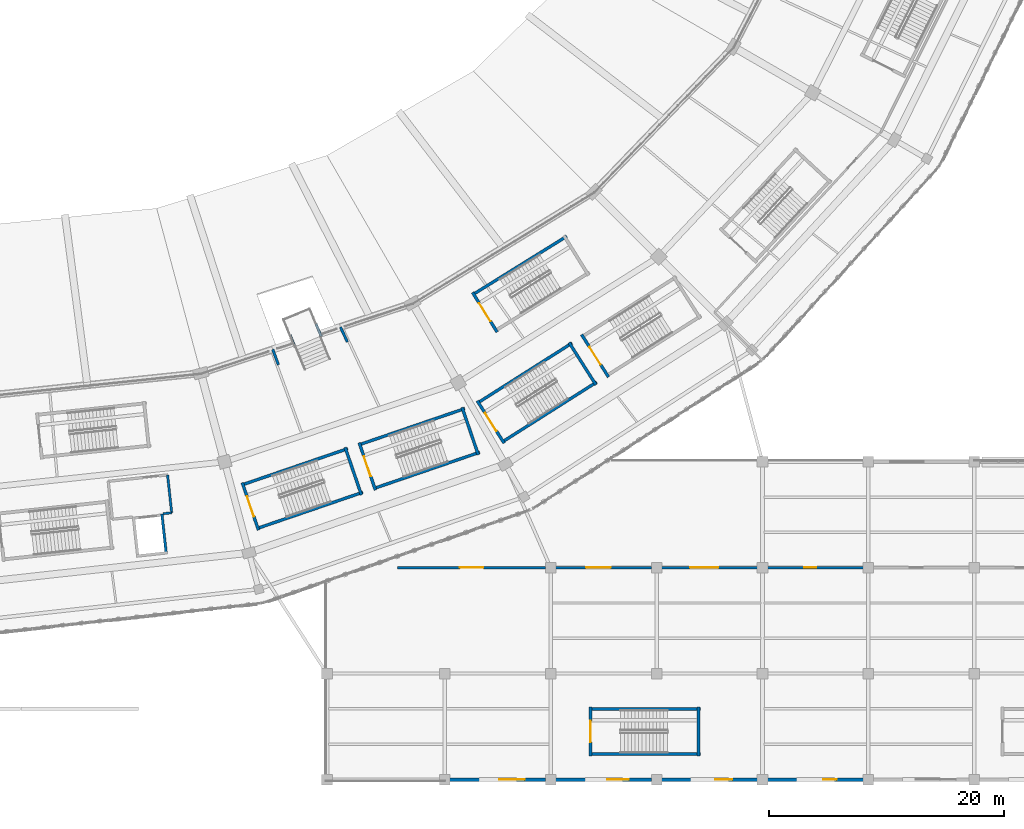
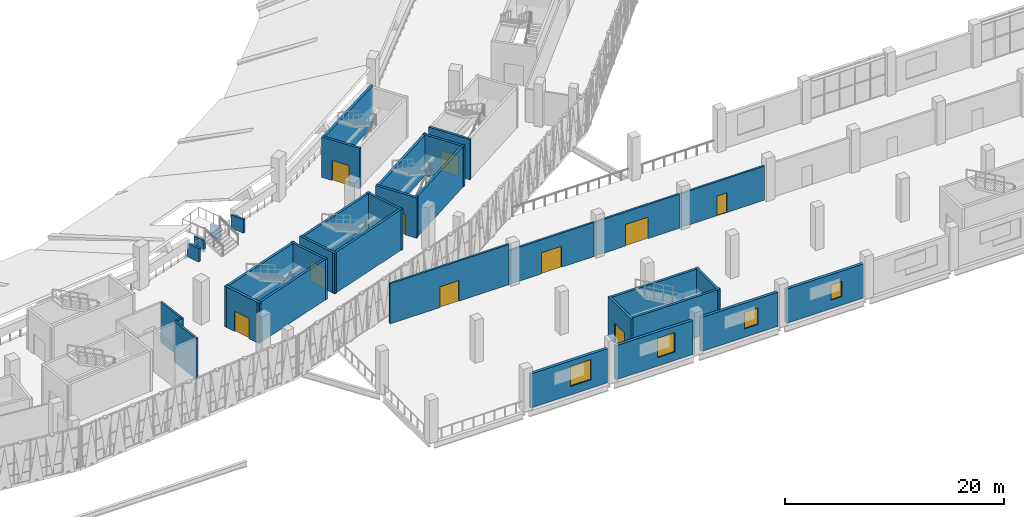
# One storey, part 102 of 183: 34 walls, 10 doors, 4 windows, 14 openings.
"""IFC4 building model written with IfcOpenShell, lengths in metres."""

from ifc_helpers import new_model, si_unit, direction, frame, frame_2d, origin, place, context, subcontext, project, spatial, rectangle, extrude, material, layer, layer_set, type_object, element, fill, save


model = new_model("IFC4")

# Units and contexts
model_context = context("Model", 3, precision=1e-05, world=origin(), true_north=direction((0.0, 1.0)))
body_context = subcontext(model_context, "Body", "Model", "MODEL_VIEW")
ifc_project = project(units=[si_unit("LENGTHUNIT", "METRE"), si_unit("AREAUNIT", "SQUARE_METRE"), si_unit("VOLUMEUNIT", "CUBIC_METRE"), si_unit("PLANEANGLEUNIT", "RADIAN"), si_unit("MASSUNIT", "GRAM", prefix="KILO")], contexts=[model_context])

# Site, building, storey
site_placement = place(None, origin())
site = spatial("IfcSite", under=ifc_project, at=site_placement, CompositionType="ELEMENT")
building_placement = place(site_placement, origin())
building = spatial("IfcBuilding", under=site, at=building_placement, Name="Zevraka Park Crest Stadium", CompositionType="ELEMENT")
storey_placement = place(building_placement, frame((0.0, 0.0, 5.39990234375)))
storey = spatial("IfcBuildingStorey", under=building, at=storey_placement, Name="L01", CompositionType="ELEMENT", Elevation=5.39990234375)

# Wall, opening, window
ifc_material_1 = material(Name="Limestone and red clay brick masonry", Category="masonry")
ifc_layer_1 = layer(ifc_material_1, 0.300048828125)
ifc_layer_set_1 = layer_set([ifc_layer_1], Name="Limestone and red clay brick masonry")
wall_type_1 = type_object("IfcWallType", Name="EW02", PredefinedType="STANDARD", material=ifc_layer_set_1)
wall_1_placement = place(storey_placement, frame((187.574951171875, 0.0, 0.0), z_axis=(0.0, 0.0, 1.0), x_axis=(-1.0, 0.0, 0.0)))
wall_1 = element("IfcWall", 1, at=wall_1_placement, inside=storey, type_object=wall_type_1, Name="Wing External Cavity Wall EW02 L01-SE-S1-5", PredefinedType="STANDARD", context=body_context, shape_type="SweptSolid", body=[
    extrude(rectangle(XDim=8.14990234375, YDim=0.300048828125, at=frame_2d((4.074951171875, 0.0))), origin(), (0.0, 0.0, 1.0), 3.8037109375),
])
opening_1_placement = place(wall_1_placement, frame((2.277099609375, 0.0, 0.949951171875)))
opening_1 = element("IfcOpeningElement", 2, at=opening_1_placement, cuts=wall_1, Name="Opening WN25", PredefinedType="OPENING", context=body_context, shape_type="SweptSolid", body=[
    extrude(rectangle(XDim=1.14990234375, YDim=1.699951171875, at=frame_2d((0.574951171875, 0.85009765625))), frame((0.0, 0.159912109375, 0.0), z_axis=(0.0, -1.0, 0.0), x_axis=(1.0, 0.0, 0.0)), (0.0, 0.0, 1.0), 0.320068359375),
])
ifc_material_2 = material(Name="Solar-control laminated double glazing in aluminium frame", Category="aluminium")
window_type_1 = type_object("IfcWindowType", Name="WN25", PartitioningType="SINGLE_PANEL", PredefinedType="WINDOW", material=ifc_material_2)
window_1_placement = place(opening_1_placement, origin())
window_1 = element("IfcWindow", 3, at=window_1_placement, inside=storey, type_object=window_type_1, Name="Facade Casement Window WN25 W-L01-107", OverallHeight=1.699951171875, OverallWidth=1.14990234375, PartitioningType="SINGLE_PANEL", PredefinedType="WINDOW", context=body_context, shape_type="SweptSolid", body=[
    extrude(rectangle(XDim=1.14990234375, YDim=1.699951171875, at=frame_2d((0.574951171875, 0.85009765625))), frame((0.0, 0.030029296875, 0.0), z_axis=(0.0, -1.0, 0.0), x_axis=(1.0, 0.0, 0.0)), (0.0, 0.0, 1.0), 0.06005859375),
])
fill(opening_1, window_1)

wall_2_placement = place(storey_placement, frame((178.574951171875, 0.0, 0.0), z_axis=(0.0, 0.0, 1.0), x_axis=(-1.0, 0.0, 0.0)))
wall_2 = element("IfcWall", 4, at=wall_2_placement, inside=storey, type_object=wall_type_1, Name="Wing External Cavity Wall EW02 L01-SE-S1-6", PredefinedType="STANDARD", context=body_context, shape_type="SweptSolid", body=[
    extrude(rectangle(XDim=8.14990234375, YDim=0.300048828125, at=frame_2d((4.074951171875, 0.0))), origin(), (0.0, 0.0, 1.0), 3.8037109375),
])
opening_2_placement = place(wall_2_placement, frame((2.126953125, 0.0, 0.949951171875)))
opening_2 = element("IfcOpeningElement", 5, at=opening_2_placement, cuts=wall_2, Name="Opening WN26", PredefinedType="OPENING", context=body_context, shape_type="SweptSolid", body=[
    extrude(rectangle(XDim=1.449951171875, YDim=1.85009765625, at=frame_2d((0.72509765625, 0.925048828125))), frame((0.0, 0.159912109375, 0.0), z_axis=(0.0, -1.0, 0.0), x_axis=(1.0, 0.0, 0.0)), (0.0, 0.0, 1.0), 0.320068359375),
])
ifc_material_3 = material(Name="Solar-control laminated double glazing in aluminium frame", Category="aluminium")
window_type_2 = type_object("IfcWindowType", Name="WN26", PartitioningType="SINGLE_PANEL", PredefinedType="WINDOW", material=ifc_material_3)
window_2_placement = place(opening_2_placement, origin())
window_2 = element("IfcWindow", 6, at=window_2_placement, inside=storey, type_object=window_type_2, Name="Facade Casement Window WN26 W-L01-108", OverallHeight=1.85009765625, OverallWidth=1.449951171875, PartitioningType="SINGLE_PANEL", PredefinedType="WINDOW", context=body_context, shape_type="SweptSolid", body=[
    extrude(rectangle(XDim=1.449951171875, YDim=1.85009765625, at=frame_2d((0.72509765625, 0.925048828125))), frame((0.0, 0.030029296875, 0.0), z_axis=(0.0, -1.0, 0.0), x_axis=(1.0, 0.0, 0.0)), (0.0, 0.0, 1.0), 0.06005859375),
])
fill(opening_2, window_2)

wall_3_placement = place(storey_placement, frame((169.574951171875, 0.0, 0.0), z_axis=(0.0, 0.0, 1.0), x_axis=(-1.0, 0.0, 0.0)))
wall_3 = element("IfcWall", 7, at=wall_3_placement, inside=storey, type_object=wall_type_1, Name="Wing External Cavity Wall EW02 L01-SE-S1-7", PredefinedType="STANDARD", context=body_context, shape_type="SweptSolid", body=[
    extrude(rectangle(XDim=8.14990234375, YDim=0.300048828125, at=frame_2d((4.074951171875, 0.0))), origin(), (0.0, 0.0, 1.0), 3.8037109375),
])
opening_3_placement = place(wall_3_placement, frame((1.927001953125, 0.0, 0.949951171875)))
opening_3 = element("IfcOpeningElement", 8, at=opening_3_placement, cuts=wall_3, Name="Opening WN27", PredefinedType="OPENING", context=body_context, shape_type="SweptSolid", body=[
    extrude(rectangle(XDim=1.85009765625, YDim=2.14990234375, at=frame_2d((0.925048828125, 1.074951171875))), frame((0.0, 0.159912109375, 0.0), z_axis=(0.0, -1.0, 0.0), x_axis=(1.0, 0.0, 0.0)), (0.0, 0.0, 1.0), 0.320068359375),
])
ifc_material_4 = material(Name="Solar-control laminated double glazing in aluminium frame", Category="aluminium")
window_type_3 = type_object("IfcWindowType", Name="WN27", PartitioningType="SINGLE_PANEL", PredefinedType="WINDOW", material=ifc_material_4)
window_3_placement = place(opening_3_placement, origin())
window_3 = element("IfcWindow", 9, at=window_3_placement, inside=storey, type_object=window_type_3, Name="Facade Casement Window WN27 W-L01-109", OverallHeight=2.14990234375, OverallWidth=1.85009765625, PartitioningType="SINGLE_PANEL", PredefinedType="WINDOW", context=body_context, shape_type="SweptSolid", body=[
    extrude(rectangle(XDim=1.85009765625, YDim=2.14990234375, at=frame_2d((0.925048828125, 1.074951171875))), frame((0.0, 0.030029296875, 0.0), z_axis=(0.0, -1.0, 0.0), x_axis=(1.0, 0.0, 0.0)), (0.0, 0.0, 1.0), 0.06005859375),
])
fill(opening_3, window_3)

wall_4_placement = place(storey_placement, frame((160.574951171875, 0.0, 0.0), z_axis=(0.0, 0.0, 1.0), x_axis=(-1.0, 0.0, 0.0)))
wall_4 = element("IfcWall", 10, at=wall_4_placement, inside=storey, type_object=wall_type_1, Name="Wing External Cavity Wall EW02 L01-SE-S1-8", PredefinedType="STANDARD", context=body_context, shape_type="SweptSolid", body=[
    extrude(rectangle(XDim=8.14990234375, YDim=0.300048828125, at=frame_2d((4.074951171875, 0.0))), origin(), (0.0, 0.0, 1.0), 3.8037109375),
])
opening_4_placement = place(wall_4_placement, frame((1.777099609375, 0.0, 0.949951171875)))
opening_4 = element("IfcOpeningElement", 11, at=opening_4_placement, cuts=wall_4, Name="Opening WN28", PredefinedType="OPENING", context=body_context, shape_type="SweptSolid", body=[
    extrude(rectangle(XDim=2.14990234375, YDim=2.25, at=frame_2d((1.074951171875, 1.125))), frame((0.0, 0.159912109375, 0.0), z_axis=(0.0, -1.0, 0.0), x_axis=(1.0, 0.0, 0.0)), (0.0, 0.0, 1.0), 0.320068359375),
])
ifc_material_5 = material(Name="Solar-control laminated double glazing in aluminium frame", Category="aluminium")
window_type_4 = type_object("IfcWindowType", Name="WN28", PartitioningType="SINGLE_PANEL", PredefinedType="WINDOW", material=ifc_material_5)
window_4_placement = place(opening_4_placement, origin())
window_4 = element("IfcWindow", 12, at=window_4_placement, inside=storey, type_object=window_type_4, Name="Facade Casement Window WN28 W-L01-110", OverallHeight=2.25, OverallWidth=2.14990234375, PartitioningType="SINGLE_PANEL", PredefinedType="WINDOW", context=body_context, shape_type="SweptSolid", body=[
    extrude(rectangle(XDim=2.14990234375, YDim=2.25, at=frame_2d((1.074951171875, 1.125))), frame((0.0, 0.030029296875, 0.0), z_axis=(0.0, -1.0, 0.0), x_axis=(1.0, 0.0, 0.0)), (0.0, 0.0, 1.0), 0.06005859375),
])
fill(opening_4, window_4)

# Walls
ifc_material_6 = material(Name="Autoclaved aerated masonry blockwork", Category="masonry")
ifc_layer_2 = layer(ifc_material_6, 0.199951171875)
ifc_layer_set_2 = layer_set([ifc_layer_2], Name="Autoclaved aerated masonry blockwork")
wall_type_2 = type_object("IfcWallType", Name="IW01", PredefinedType="PARTITIONING", material=ifc_layer_set_2)
wall_5_placement = place(storey_placement, frame((128.804931640625, 22.6650390625, 0.0), z_axis=(0.0, 0.0, 1.0), x_axis=(-0.994146742738, -0.108038205757, 0.0)))
element("IfcWall", 13, at=wall_5_placement, inside=storey, type_object=wall_type_2, Name="Firefighting Lift Lobby Wall IW01 FL04 L01 BACKL", PredefinedType="PARTITIONING", context=body_context, shape_type="SweptSolid", body=[
    extrude(rectangle(XDim=0.750244140625, YDim=0.199951171875, at=frame_2d((0.375, 0.0))), origin(), (0.0, 0.0, 1.0), 4.5),
])
wall_6_placement = place(storey_placement, frame((128.804931640625, 22.6650390625, 0.0), z_axis=(0.0, 0.0, 1.0), x_axis=(-0.108280975823, 0.994120329877, 0.0)))
element("IfcWall", 14, at=wall_6_placement, inside=storey, type_object=wall_type_2, Name="Firefighting Lift Lobby Wall IW01 FL04 L01 LEFT", PredefinedType="PARTITIONING", context=body_context, shape_type="SweptSolid", body=[
    extrude(rectangle(XDim=3.239990234375, YDim=0.199951171875, at=frame_2d((1.6201171875, 0.0))), origin(), (0.0, 0.0, 1.0), 4.5),
])

# Wall, opening, door
wall_7_placement = place(storey_placement, frame((148.0, 18.0, 0.0), z_axis=(0.0, 0.0, 1.0), x_axis=(1.0, 0.0, 0.0)))
wall_7 = element("IfcWall", 15, at=wall_7_placement, inside=storey, type_object=wall_type_2, Name="Interior Partition IW01 Rainwater Filtration and Water Tank Plant Room L01", PredefinedType="PARTITIONING", context=body_context, shape_type="SweptSolid", body=[
    extrude(rectangle(XDim=12.56494140625, YDim=0.199951171875, at=frame_2d((6.282470703125, 0.0))), origin(), (0.0, 0.0, 1.0), 4.5),
])
opening_5_placement = place(wall_7_placement, frame((5.281982421875, 0.0, 0.0)))
opening_5 = element("IfcOpeningElement", 16, at=opening_5_placement, cuts=wall_7, Name="Opening D-L01-393", PredefinedType="OPENING", context=body_context, shape_type="SweptSolid", body=[
    extrude(rectangle(XDim=2.0, YDim=2.300048828125, at=frame_2d((1.0, 1.14990234375))), frame((0.0, 0.10986328125, 0.0), z_axis=(0.0, -1.0, 0.0), x_axis=(1.0, 0.0, 0.0)), (0.0, 0.0, 1.0), 0.219970703125),
])
ifc_material_7 = material(Name="Solid-core hardwood timber leaf in steel frame", Category="steel")
door_type_1 = type_object("IfcDoorType", Name="DR16", OperationType="NOTDEFINED", PredefinedType="DOOR", material=ifc_material_7)
door_1_placement = place(opening_5_placement, origin())
door_1 = element("IfcDoor", 17, at=door_1_placement, inside=storey, type_object=door_type_1, Name="Rainwater Filtration and Water Tank Plant Room Door D-L01-393", OperationType="DOUBLE_DOOR_SINGLE_SWING", OverallHeight=2.300048828125, OverallWidth=2.0, PredefinedType="DOOR", context=body_context, shape_type="SweptSolid", body=[
    extrude(rectangle(XDim=2.0, YDim=2.300048828125, at=frame_2d((1.0, 1.14990234375))), frame((0.0, 0.02490234375, 0.0), z_axis=(0.0, -1.0, 0.0), x_axis=(1.0, 0.0, 0.0)), (0.0, 0.0, 1.0), 0.050048828125),
])
fill(opening_5, door_1)

wall_8_placement = place(storey_placement, frame((160.550048828125, 18.0, 0.0), z_axis=(0.0, 0.0, 1.0), x_axis=(1.0, 0.0, 0.0)))
wall_8 = element("IfcWall", 18, at=wall_8_placement, inside=storey, type_object=wall_type_2, Name="Interior Partition IW01 Rainwater Filtration and Water Tank Plant Room L01", PredefinedType="PARTITIONING", context=body_context, shape_type="SweptSolid", body=[
    extrude(rectangle(XDim=9.014892578125, YDim=0.199951171875, at=frame_2d((4.50732421875, 0.0))), origin(), (0.0, 0.0, 1.0), 3.8037109375),
])
opening_6_placement = place(wall_8_placement, frame((3.45703125, 0.0, 0.0)))
opening_6 = element("IfcOpeningElement", 19, at=opening_6_placement, cuts=wall_8, Name="Opening D-L01-394", PredefinedType="OPENING", context=body_context, shape_type="SweptSolid", body=[
    extrude(rectangle(XDim=2.10009765625, YDim=2.35009765625, at=frame_2d((1.050048828125, 1.175048828125))), frame((0.0, 0.10986328125, 0.0), z_axis=(0.0, -1.0, 0.0), x_axis=(1.0, 0.0, 0.0)), (0.0, 0.0, 1.0), 0.219970703125),
])
ifc_material_8 = material(Name="Solid-core hardwood timber leaf in steel frame", Category="steel")
door_type_2 = type_object("IfcDoorType", Name="DR17", OperationType="NOTDEFINED", PredefinedType="DOOR", material=ifc_material_8)
door_2_placement = place(opening_6_placement, origin())
door_2 = element("IfcDoor", 20, at=door_2_placement, inside=storey, type_object=door_type_2, Name="Rainwater Filtration and Water Tank Plant Room Door D-L01-394", OperationType="DOUBLE_DOOR_SINGLE_SWING", OverallHeight=2.35009765625, OverallWidth=2.10009765625, PredefinedType="DOOR", context=body_context, shape_type="SweptSolid", body=[
    extrude(rectangle(XDim=2.10009765625, YDim=2.35009765625, at=frame_2d((1.050048828125, 1.175048828125))), frame((0.0, 0.02490234375, 0.0), z_axis=(0.0, -1.0, 0.0), x_axis=(1.0, 0.0, 0.0)), (0.0, 0.0, 1.0), 0.050048828125),
])
fill(opening_6, door_2)

wall_9_placement = place(storey_placement, frame((169.550048828125, 18.0, 0.0), z_axis=(0.0, 0.0, 1.0), x_axis=(1.0, 0.0, 0.0)))
wall_9 = element("IfcWall", 21, at=wall_9_placement, inside=storey, type_object=wall_type_2, Name="Interior Partition IW01 Rainwater Filtration and Water Tank Plant Room L01", PredefinedType="PARTITIONING", context=body_context, shape_type="SweptSolid", body=[
    extrude(rectangle(XDim=9.014892578125, YDim=0.199951171875, at=frame_2d((4.50732421875, 0.0))), origin(), (0.0, 0.0, 1.0), 3.8037109375),
])
opening_7_placement = place(wall_9_placement, frame((3.306884765625, 0.0, 0.0)))
opening_7 = element("IfcOpeningElement", 22, at=opening_7_placement, cuts=wall_9, Name="Opening D-L01-395", PredefinedType="OPENING", context=body_context, shape_type="SweptSolid", body=[
    extrude(rectangle(XDim=2.39990234375, YDim=2.39990234375, at=frame_2d((1.199951171875, 1.199951171875))), frame((0.0, 0.10986328125, 0.0), z_axis=(0.0, -1.0, 0.0), x_axis=(1.0, 0.0, 0.0)), (0.0, 0.0, 1.0), 0.219970703125),
])
ifc_material_9 = material(Name="Solid-core hardwood timber leaf in steel frame", Category="steel")
door_type_3 = type_object("IfcDoorType", Name="DR18", OperationType="NOTDEFINED", PredefinedType="DOOR", material=ifc_material_9)
door_3_placement = place(opening_7_placement, origin())
door_3 = element("IfcDoor", 23, at=door_3_placement, inside=storey, type_object=door_type_3, Name="Rainwater Filtration and Water Tank Plant Room Door D-L01-395", OperationType="DOUBLE_DOOR_SINGLE_SWING", OverallHeight=2.39990234375, OverallWidth=2.39990234375, PredefinedType="DOOR", context=body_context, shape_type="SweptSolid", body=[
    extrude(rectangle(XDim=2.39990234375, YDim=2.39990234375, at=frame_2d((1.199951171875, 1.199951171875))), frame((0.0, 0.02490234375, 0.0), z_axis=(0.0, -1.0, 0.0), x_axis=(1.0, 0.0, 0.0)), (0.0, 0.0, 1.0), 0.050048828125),
])
fill(opening_7, door_3)

wall_10_placement = place(storey_placement, frame((178.550048828125, 18.0, 0.0), z_axis=(0.0, 0.0, 1.0), x_axis=(1.0, 0.0, 0.0)))
wall_10 = element("IfcWall", 24, at=wall_10_placement, inside=storey, type_object=wall_type_2, Name="Interior Partition IW01 Rainwater Filtration and Water Tank Plant Room L01", PredefinedType="PARTITIONING", context=body_context, shape_type="SweptSolid", body=[
    extrude(rectangle(XDim=9.014892578125, YDim=0.199951171875, at=frame_2d((4.50732421875, 0.0))), origin(), (0.0, 0.0, 1.0), 3.8037109375),
])
opening_8_placement = place(wall_10_placement, frame((3.9970703125, 0.0, 0.0)))
opening_8 = element("IfcOpeningElement", 25, at=opening_8_placement, cuts=wall_10, Name="Opening D-L01-396", PredefinedType="OPENING", context=body_context, shape_type="SweptSolid", body=[
    extrude(rectangle(XDim=1.02001953125, YDim=2.199951171875, at=frame_2d((0.510009765625, 1.10009765625))), frame((0.0, 0.10986328125, 0.0), z_axis=(0.0, -1.0, 0.0), x_axis=(1.0, 0.0, 0.0)), (0.0, 0.0, 1.0), 0.219970703125),
])
ifc_material_10 = material(Name="Solid-core hardwood timber leaf in steel frame", Category="steel")
door_type_4 = type_object("IfcDoorType", Name="DR21", OperationType="NOTDEFINED", PredefinedType="DOOR", material=ifc_material_10)
door_4_placement = place(opening_8_placement, origin())
door_4 = element("IfcDoor", 26, at=door_4_placement, inside=storey, type_object=door_type_4, Name="Rainwater Filtration and Water Tank Plant Room Door D-L01-396", OperationType="SINGLE_SWING_RIGHT", OverallHeight=2.199951171875, OverallWidth=1.02001953125, PredefinedType="DOOR", context=body_context, shape_type="SweptSolid", body=[
    extrude(rectangle(XDim=1.02001953125, YDim=2.199951171875, at=frame_2d((0.510009765625, 1.10009765625))), frame((0.0, 0.02490234375, 0.0), z_axis=(0.0, -1.0, 0.0), x_axis=(1.0, 0.0, 0.0)), (0.0, 0.0, 1.0), 0.050048828125),
])
fill(opening_8, door_4)

# Walls
ifc_material_11 = material(Name="Concrete C40/50", Category="concrete")
ifc_layer_3 = layer(ifc_material_11, 0.25)
ifc_layer_set_3 = layer_set([ifc_layer_3], Name="Concrete C40/50")
wall_type_3 = type_object("IfcWallType", Name="SW01", PredefinedType="SHEAR", material=ifc_layer_set_3)
wall_11_placement = place(storey_placement, frame((136.00732421875, 21.314208984375, 0.0), z_axis=(0.0, 0.0, 1.0), x_axis=(0.946064424228, 0.323978556712, 0.0)))
element("IfcWall", 27, at=wall_11_placement, inside=storey, type_object=wall_type_3, Name="Stair Core Shear Wall SW01 ST20 L01 left", PredefinedType="SHEAR", context=body_context, shape_type="SweptSolid", body=[
    extrude(rectangle(XDim=9.550048828125, YDim=0.25, at=frame_2d((4.77490234375, 0.0))), origin(), (0.0, 0.0, 1.0), 4.52001953125),
])
wall_12_placement = place(storey_placement, frame((143.7724609375, 28.116943359375, 0.0), z_axis=(0.0, 0.0, 1.0), x_axis=(-0.946067107432, -0.323970721263, 0.0)))
element("IfcWall", 28, at=wall_12_placement, inside=storey, type_object=wall_type_3, Name="Stair Core Shear Wall SW01 ST20 L01 right", PredefinedType="SHEAR", context=body_context, shape_type="SweptSolid", body=[
    extrude(rectangle(XDim=9.55029296875, YDim=0.25, at=frame_2d((4.775146484375, 0.0))), origin(), (0.0, 0.0, 1.0), 4.52001953125),
])

# Wall, opening, door
wall_13_placement = place(storey_placement, frame((134.800537109375, 25.22412109375, 0.0), z_axis=(0.0, 0.0, 1.0), x_axis=(0.323988758717, -0.946060930504, 0.0)))
wall_13 = element("IfcWall", 29, at=wall_13_placement, inside=storey, type_object=wall_type_3, Name="Stair Core Shear Wall SW01 ST20 L01 near", PredefinedType="SHEAR", context=body_context, shape_type="SweptSolid", body=[
    extrude(rectangle(XDim=4.259765625, YDim=0.25, at=frame_2d((2.1298828125, 0.0))), origin(), (0.0, 0.0, 1.0), 4.52001953125),
])
opening_9_placement = place(wall_13_placement, frame((1.22998046875, 0.0, 0.0)))
opening_9 = element("IfcOpeningElement", 30, at=opening_9_placement, cuts=wall_13, Name="Opening D-L01-118", PredefinedType="OPENING", context=body_context, shape_type="SweptSolid", body=[
    extrude(rectangle(XDim=1.800048828125, YDim=2.25, at=frame_2d((0.89990234375, 1.125))), frame((0.0, 0.135009765625, 0.0), z_axis=(0.0, -1.0, 0.0), x_axis=(1.0, 0.0, 0.0)), (0.0, 0.0, 1.0), 0.27001953125),
])
ifc_material_12 = material(Name="Solid-core hardwood timber leaf in steel frame", Category="steel")
door_type_5 = type_object("IfcDoorType", Name="DR04", OperationType="NOTDEFINED", PredefinedType="DOOR", material=ifc_material_12)
door_5_placement = place(opening_9_placement, origin())
door_5 = element("IfcDoor", 31, at=door_5_placement, inside=storey, type_object=door_type_5, Name="Protected Stair Entry Door ST20 L01", OperationType="DOUBLE_DOOR_SINGLE_SWING", OverallHeight=2.25, OverallWidth=1.800048828125, PredefinedType="DOOR", context=body_context, shape_type="SweptSolid", body=[
    extrude(rectangle(XDim=1.800048828125, YDim=2.25, at=frame_2d((0.89990234375, 1.125))), frame((0.0, 0.02490234375, 0.0), z_axis=(0.0, -1.0, 0.0), x_axis=(1.0, 0.0, 0.0)), (0.0, 0.0, 1.0), 0.050048828125),
])
fill(opening_9, door_5)

# Walls
wall_14_placement = place(storey_placement, frame((144.92236328125, 24.1875, 0.0), z_axis=(0.0, 0.0, 1.0), x_axis=(-0.323971192516, 0.946066946056, 0.0)))
element("IfcWall", 32, at=wall_14_placement, inside=storey, type_object=wall_type_3, Name="Stair Core Shear Wall SW01 ST20 L01 far", PredefinedType="SHEAR", context=body_context, shape_type="SweptSolid", body=[
    extrude(rectangle(XDim=4.260009765625, YDim=0.25, at=frame_2d((2.1298828125, 0.0))), origin(), (0.0, 0.0, 1.0), 4.52001953125),
])
for number, where, z_axis, x_axis, name in (
    (33, (156.852783203125, 28.656494140625, 0.0), (0.0, 0.0, 1.0), (0.844391246241, 0.535727004427, 0.0), "Stair Core Shear Wall SW01 ST21 L01 left"),
    (34, (162.816650390625, 37.082763671875, 0.0), (0.0, 0.0, 1.0), (-0.844391246241, -0.535727004427, 0.0), "Stair Core Shear Wall SW01 ST21 L01 right"),
):
    element("IfcWall", number, at=place(storey_placement, frame(where, z_axis=z_axis, x_axis=x_axis)), inside=storey, type_object=wall_type_3, Name=name, PredefinedType="SHEAR", context=body_context, shape_type="SweptSolid", body=[
        extrude(rectangle(XDim=9.550048828125, YDim=0.25, at=frame_2d((4.77490234375, 0.0))), origin(), (0.0, 0.0, 1.0), 4.52001953125),
    ])

# Wall, opening, door
wall_15_placement = place(storey_placement, frame((154.767333984375, 32.177001953125, 0.0), z_axis=(0.0, 0.0, 1.0), x_axis=(0.535684577572, -0.844418162613, 0.0)))
wall_15 = element("IfcWall", 35, at=wall_15_placement, inside=storey, type_object=wall_type_3, Name="Stair Core Shear Wall SW01 ST21 L01 near", PredefinedType="SHEAR", context=body_context, shape_type="SweptSolid", body=[
    extrude(rectangle(XDim=4.260009765625, YDim=0.25, at=frame_2d((2.1298828125, 0.0))), origin(), (0.0, 0.0, 1.0), 4.52001953125),
])
opening_10_placement = place(wall_15_placement, frame((1.22998046875, 0.0, 0.0)))
opening_10 = element("IfcOpeningElement", 36, at=opening_10_placement, cuts=wall_15, Name="Opening D-L01-125", PredefinedType="OPENING", context=body_context, shape_type="SweptSolid", body=[
    extrude(rectangle(XDim=1.800048828125, YDim=2.25, at=frame_2d((0.89990234375, 1.125))), frame((0.0, 0.135009765625, 0.0), z_axis=(0.0, -1.0, 0.0), x_axis=(1.0, 0.0, 0.0)), (0.0, 0.0, 1.0), 0.27001953125),
])
door_6_placement = place(opening_10_placement, origin())
door_6 = element("IfcDoor", 37, at=door_6_placement, inside=storey, type_object=door_type_5, Name="Protected Stair Entry Door ST21 L01", OperationType="DOUBLE_DOOR_SINGLE_SWING", OverallHeight=2.25, OverallWidth=1.800048828125, PredefinedType="DOOR", context=body_context, shape_type="SweptSolid", body=[
    extrude(rectangle(XDim=1.800048828125, YDim=2.25, at=frame_2d((0.89990234375, 1.125))), frame((0.0, 0.02490234375, 0.0), z_axis=(0.0, -1.0, 0.0), x_axis=(1.0, 0.0, 0.0)), (0.0, 0.0, 1.0), 0.050048828125),
])
fill(opening_10, door_6)

# Walls
wall_16_placement = place(storey_placement, frame((164.8515625, 33.530029296875, 0.0), z_axis=(0.0, 0.0, 1.0), x_axis=(-0.53572544074, 0.844392238325, 0.0)))
element("IfcWall", 38, at=wall_16_placement, inside=storey, type_object=wall_type_3, Name="Stair Core Shear Wall SW01 ST21 L01 far", PredefinedType="SHEAR", context=body_context, shape_type="SweptSolid", body=[
    extrude(rectangle(XDim=4.260009765625, YDim=0.25, at=frame_2d((2.1298828125, 0.0))), origin(), (0.0, 0.0, 1.0), 4.52001953125),
])
for number, where, z_axis, x_axis, name in (
    (39, (145.94140625, 24.71533203125, 0.0), (0.0, 0.0, 1.0), (0.946064424228, 0.323978556712, 0.0), "Stair Core Shear Wall SW01 ST31 L01 left"),
    (40, (153.706298828125, 31.517822265625, 0.0), (0.0, 0.0, 1.0), (-0.946064424228, -0.323978556712, 0.0), "Stair Core Shear Wall SW01 ST31 L01 right"),
):
    element("IfcWall", number, at=place(storey_placement, frame(where, z_axis=z_axis, x_axis=x_axis)), inside=storey, type_object=wall_type_3, Name=name, PredefinedType="SHEAR", context=body_context, shape_type="SweptSolid", body=[
        extrude(rectangle(XDim=9.550048828125, YDim=0.25, at=frame_2d((4.77490234375, 0.0))), origin(), (0.0, 0.0, 1.0), 4.52001953125),
    ])

# Wall, opening, door
wall_17_placement = place(storey_placement, frame((144.734619140625, 28.625244140625, 0.0), z_axis=(0.0, 0.0, 1.0), x_axis=(0.323971192516, -0.946066946056, 0.0)))
wall_17 = element("IfcWall", 41, at=wall_17_placement, inside=storey, type_object=wall_type_3, Name="Stair Core Shear Wall SW01 ST31 L01 near", PredefinedType="SHEAR", context=body_context, shape_type="SweptSolid", body=[
    extrude(rectangle(XDim=4.260009765625, YDim=0.25, at=frame_2d((2.1298828125, 0.0))), origin(), (0.0, 0.0, 1.0), 4.52001953125),
])
opening_11_placement = place(wall_17_placement, frame((1.22998046875, 0.0, 0.0)))
opening_11 = element("IfcOpeningElement", 42, at=opening_11_placement, cuts=wall_17, Name="Opening D-L01-177", PredefinedType="OPENING", context=body_context, shape_type="SweptSolid", body=[
    extrude(rectangle(XDim=1.800048828125, YDim=2.25, at=frame_2d((0.89990234375, 1.125))), frame((0.0, 0.135009765625, 0.0), z_axis=(0.0, -1.0, 0.0), x_axis=(1.0, 0.0, 0.0)), (0.0, 0.0, 1.0), 0.27001953125),
])
door_7_placement = place(opening_11_placement, origin())
door_7 = element("IfcDoor", 43, at=door_7_placement, inside=storey, type_object=door_type_5, Name="Protected Stair Entry Door ST31 L01", OperationType="DOUBLE_DOOR_SINGLE_SWING", OverallHeight=2.25, OverallWidth=1.800048828125, PredefinedType="DOOR", context=body_context, shape_type="SweptSolid", body=[
    extrude(rectangle(XDim=1.800048828125, YDim=2.25, at=frame_2d((0.89990234375, 1.125))), frame((0.0, 0.02490234375, 0.0), z_axis=(0.0, -1.0, 0.0), x_axis=(1.0, 0.0, 0.0)), (0.0, 0.0, 1.0), 0.050048828125),
])
fill(opening_11, door_7)

# Wall
wall_18_placement = place(storey_placement, frame((154.8564453125, 27.588623046875, 0.0), z_axis=(0.0, 0.0, 1.0), x_axis=(-0.323988758717, 0.946060930504, 0.0)))
element("IfcWall", 44, at=wall_18_placement, inside=storey, type_object=wall_type_3, Name="Stair Core Shear Wall SW01 ST31 L01 far", PredefinedType="SHEAR", context=body_context, shape_type="SweptSolid", body=[
    extrude(rectangle(XDim=4.259765625, YDim=0.25, at=frame_2d((2.1298828125, 0.0))), origin(), (0.0, 0.0, 1.0), 4.52001953125),
])

# Wall, opening, door
wall_19_placement = place(storey_placement, frame((163.63330078125, 37.802001953125, 0.0), z_axis=(0.0, 0.0, 1.0), x_axis=(0.535684577572, -0.844418162613, 0.0)))
wall_19 = element("IfcWall", 45, at=wall_19_placement, inside=storey, type_object=wall_type_3, Name="Stair Core Shear Wall SW01 ST32 L01 near", PredefinedType="SHEAR", context=body_context, shape_type="SweptSolid", body=[
    extrude(rectangle(XDim=4.260009765625, YDim=0.25, at=frame_2d((2.1298828125, 0.0))), origin(), (0.0, 0.0, 1.0), 4.52001953125),
])
opening_12_placement = place(wall_19_placement, frame((1.22998046875, 0.0, 0.0)))
opening_12 = element("IfcOpeningElement", 46, at=opening_12_placement, cuts=wall_19, Name="Opening D-L01-182", PredefinedType="OPENING", context=body_context, shape_type="SweptSolid", body=[
    extrude(rectangle(XDim=1.800048828125, YDim=2.25, at=frame_2d((0.89990234375, 1.125))), frame((0.0, 0.135009765625, 0.0), z_axis=(0.0, -1.0, 0.0), x_axis=(1.0, 0.0, 0.0)), (0.0, 0.0, 1.0), 0.27001953125),
])
door_8_placement = place(opening_12_placement, origin())
door_8 = element("IfcDoor", 47, at=door_8_placement, inside=storey, type_object=door_type_5, Name="Protected Stair Entry Door ST32 L01", OperationType="DOUBLE_DOOR_SINGLE_SWING", OverallHeight=2.25, OverallWidth=1.800048828125, PredefinedType="DOOR", context=body_context, shape_type="SweptSolid", body=[
    extrude(rectangle(XDim=1.800048828125, YDim=2.25, at=frame_2d((0.89990234375, 1.125))), frame((0.0, 0.02490234375, 0.0), z_axis=(0.0, -1.0, 0.0), x_axis=(1.0, 0.0, 0.0)), (0.0, 0.0, 1.0), 0.050048828125),
])
fill(opening_12, door_8)

# Wall
wall_20_placement = place(storey_placement, frame((162.378662109375, 46.159912109375, 0.0), z_axis=(0.0, 0.0, 1.0), x_axis=(-0.849684869763, -0.527290832554, 0.0)))
element("IfcWall", 48, at=wall_20_placement, inside=storey, type_object=wall_type_3, Name="Stair Core Shear Wall SW01 ST43 L01 right", PredefinedType="SHEAR", context=body_context, shape_type="SweptSolid", body=[
    extrude(rectangle(XDim=9.449951171875, YDim=0.25, at=frame_2d((4.72509765625, 0.0))), origin(), (0.0, 0.0, 1.0), 4.52001953125),
])

# Wall, opening, door
wall_21_placement = place(storey_placement, frame((154.365478515625, 41.387451171875, 0.0), z_axis=(0.0, 0.0, 1.0), x_axis=(0.527303008499, -0.849677313589, 0.0)))
wall_21 = element("IfcWall", 49, at=wall_21_placement, inside=storey, type_object=wall_type_3, Name="Stair Core Shear Wall SW01 ST43 L01 near", PredefinedType="SHEAR", context=body_context, shape_type="SweptSolid", body=[
    extrude(rectangle(XDim=3.9599609375, YDim=0.25, at=frame_2d((1.97998046875, 0.0))), origin(), (0.0, 0.0, 1.0), 4.52001953125),
])
opening_13_placement = place(wall_21_placement, frame((1.080078125, 0.0, 0.0)))
opening_13 = element("IfcOpeningElement", 50, at=opening_13_placement, cuts=wall_21, Name="Opening D-L01-227", PredefinedType="OPENING", context=body_context, shape_type="SweptSolid", body=[
    extrude(rectangle(XDim=1.800048828125, YDim=2.25, at=frame_2d((0.89990234375, 1.125))), frame((0.0, 0.135009765625, 0.0), z_axis=(0.0, -1.0, 0.0), x_axis=(1.0, 0.0, 0.0)), (0.0, 0.0, 1.0), 0.27001953125),
])
door_9_placement = place(opening_13_placement, origin())
door_9 = element("IfcDoor", 51, at=door_9_placement, inside=storey, type_object=door_type_5, Name="Protected Stair Entry Door ST43 L01", OperationType="DOUBLE_DOOR_SINGLE_SWING", OverallHeight=2.25, OverallWidth=1.800048828125, PredefinedType="DOOR", context=body_context, shape_type="SweptSolid", body=[
    extrude(rectangle(XDim=1.800048828125, YDim=2.25, at=frame_2d((0.89990234375, 1.125))), frame((0.0, 0.02490234375, 0.0), z_axis=(0.0, -1.0, 0.0), x_axis=(1.0, 0.0, 0.0)), (0.0, 0.0, 1.0), 0.050048828125),
])
fill(opening_13, door_9)

# Walls
for number, where, z_axis, x_axis, name in (
    (52, (164.25, 2.169921875, 0.0), (0.0, 0.0, 1.0), (1.0, 0.0, 0.0), "Stair Core Shear Wall SW01 ST53 L01 left"),
    (53, (173.75, 5.989990234375, 0.0), (0.0, 0.0, 1.0), (-1.0, 0.0, 0.0), "Stair Core Shear Wall SW01 ST53 L01 right"),
):
    element("IfcWall", number, at=place(storey_placement, frame(where, z_axis=z_axis, x_axis=x_axis)), inside=storey, type_object=wall_type_3, Name=name, PredefinedType="SHEAR", context=body_context, shape_type="SweptSolid", body=[
        extrude(rectangle(XDim=9.5, YDim=0.25, at=frame_2d((4.75, 0.0))), origin(), (0.0, 0.0, 1.0), 4.52001953125),
    ])

# Wall, opening, door
wall_22_placement = place(storey_placement, frame((164.375, 6.159912109375, 0.0), z_axis=(0.0, 0.0, 1.0), x_axis=(0.0, -1.0, 0.0)))
wall_22 = element("IfcWall", 54, at=wall_22_placement, inside=storey, type_object=wall_type_3, Name="Stair Core Shear Wall SW01 ST53 L01 near", PredefinedType="SHEAR", context=body_context, shape_type="SweptSolid", body=[
    extrude(rectangle(XDim=4.159912109375, YDim=0.25, at=frame_2d((2.080078125, 0.0))), origin(), (0.0, 0.0, 1.0), 4.52001953125),
])
opening_14_placement = place(wall_22_placement, frame((1.179931640625, 0.0, 0.0)))
opening_14 = element("IfcOpeningElement", 55, at=opening_14_placement, cuts=wall_22, Name="Opening D-L01-275", PredefinedType="OPENING", context=body_context, shape_type="SweptSolid", body=[
    extrude(rectangle(XDim=1.800048828125, YDim=2.25, at=frame_2d((0.89990234375, 1.125))), frame((0.0, 0.135009765625, 0.0), z_axis=(0.0, -1.0, 0.0), x_axis=(1.0, 0.0, 0.0)), (0.0, 0.0, 1.0), 0.27001953125),
])
door_10_placement = place(opening_14_placement, origin())
door_10 = element("IfcDoor", 56, at=door_10_placement, inside=storey, type_object=door_type_5, Name="Protected Stair Entry Door ST53 L01", OperationType="DOUBLE_DOOR_SINGLE_SWING", OverallHeight=2.25, OverallWidth=1.800048828125, PredefinedType="DOOR", context=body_context, shape_type="SweptSolid", body=[
    extrude(rectangle(XDim=1.800048828125, YDim=2.25, at=frame_2d((0.89990234375, 1.125))), frame((0.0, 0.02490234375, 0.0), z_axis=(0.0, -1.0, 0.0), x_axis=(1.0, 0.0, 0.0)), (0.0, 0.0, 1.0), 0.050048828125),
])
fill(opening_14, door_10)

# Walls
wall_23_placement = place(storey_placement, frame((173.56494140625, 2.0, 0.0), z_axis=(0.0, 0.0, 1.0), x_axis=(0.0, 1.0, 0.0)))
element("IfcWall", 57, at=wall_23_placement, inside=storey, type_object=wall_type_3, Name="Stair Core Shear Wall SW01 ST53 L01 far", PredefinedType="SHEAR", context=body_context, shape_type="SweptSolid", body=[
    extrude(rectangle(XDim=4.159912109375, YDim=0.25, at=frame_2d((2.080078125, 0.0))), origin(), (0.0, 0.0, 1.0), 4.52001953125),
])
ifc_material_13 = material(Name="Concrete C40/50", Category="concrete")
ifc_layer_4 = layer(ifc_material_13, 0.219970703125)
ifc_layer_set_4 = layer_set([ifc_layer_4], Name="Concrete C40/50")
wall_type_4 = type_object("IfcWallType", Name="SW02", PredefinedType="SHEAR", material=ifc_layer_set_4)
for number, where, z_axis, x_axis, name in (
    (58, (137.39111328125, 36.548095703125, 0.0), (0.0, 0.0, 1.0), (0.343450269648, -0.939170864262, 0.0), "Vomitory Portal Raker Pier Wall SW02 19-1"),
    (59, (143.14111328125, 38.449951171875, 0.0), (0.0, 0.0, 1.0), (0.421223998033, -0.906956638148, 0.0), "Vomitory Portal Raker Pier Wall SW02 19-2"),
):
    element("IfcWall", number, at=place(storey_placement, frame(where, z_axis=z_axis, x_axis=x_axis)), inside=storey, type_object=wall_type_4, Name=name, PredefinedType="SHEAR", context=body_context, shape_type="SweptSolid", body=[
        extrude(rectangle(XDim=1.400390625, YDim=0.219970703125, at=frame_2d((0.7001953125, 0.0))), origin(), (0.0, 0.0, 1.0), 1.510009765625),
    ])
for number, where, z_axis, x_axis, name in (
    (60, (141.4990234375, 37.657958984375, -0.2998046875), (0.0, 0.0, 1.0), (-0.382769136873, 0.923844027884, 0.0), "Vomitory Portal Support Wall SW02 VS-07-1"),
    (61, (139.281005859375, 36.739990234375, -0.2998046875), (0.0, 0.0, 1.0), (-0.382769136873, 0.923844027884, 0.0), "Vomitory Portal Support Wall SW02 VS-07-2"),
):
    element("IfcWall", number, at=place(storey_placement, frame(where, z_axis=z_axis, x_axis=x_axis)), inside=storey, type_object=wall_type_4, Name=name, PredefinedType="SHEAR", context=body_context, shape_type="SweptSolid", body=[
        extrude(rectangle(XDim=1.13671875, YDim=0.219970703125, at=frame_2d((0.568359375, 0.0))), origin(), (0.0, 0.0, 1.0), 1.31982421875),
    ])
wall_24_placement = place(storey_placement, frame((128.343994140625, 19.155029296875, 0.0), z_axis=(0.0, 0.0, 1.0), x_axis=(-0.108748511736, 0.994069293961, 0.0)))
element("IfcWall", 62, at=wall_24_placement, inside=storey, type_object=wall_type_4, Name="Lift Shaft Shear Wall SW02 FL04 L01-2", PredefinedType="SHEAR", context=body_context, shape_type="SweptSolid", body=[
    extrude(rectangle(XDim=3.439453125, YDim=0.219970703125, at=frame_2d((1.7197265625, 0.0))), origin(), (0.0, 0.0, 1.0), 4.52001953125),
])

save(model, "model.ifc")
